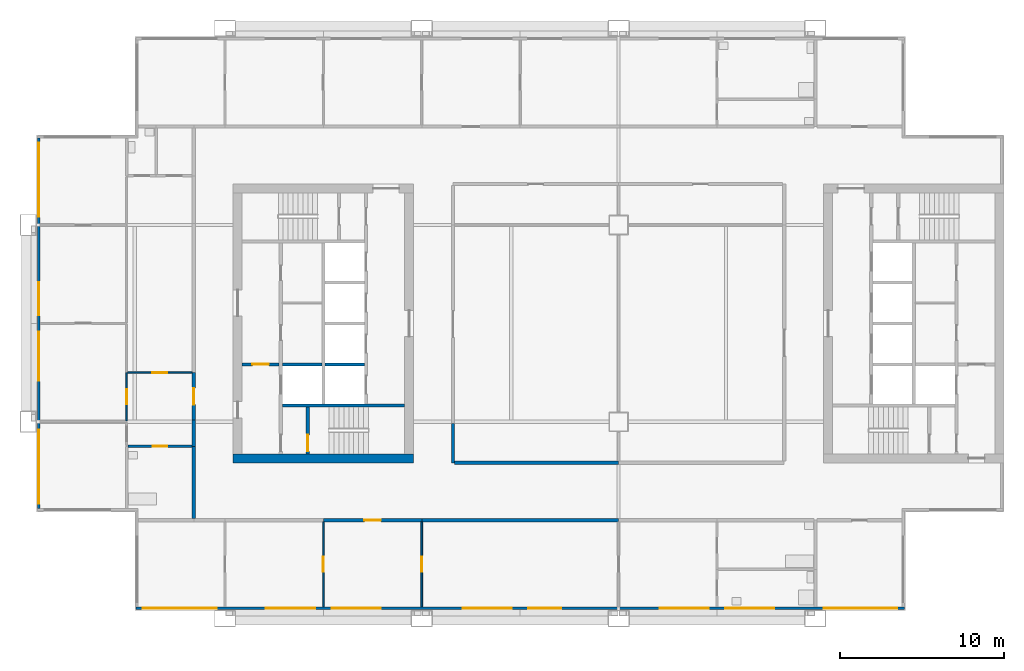
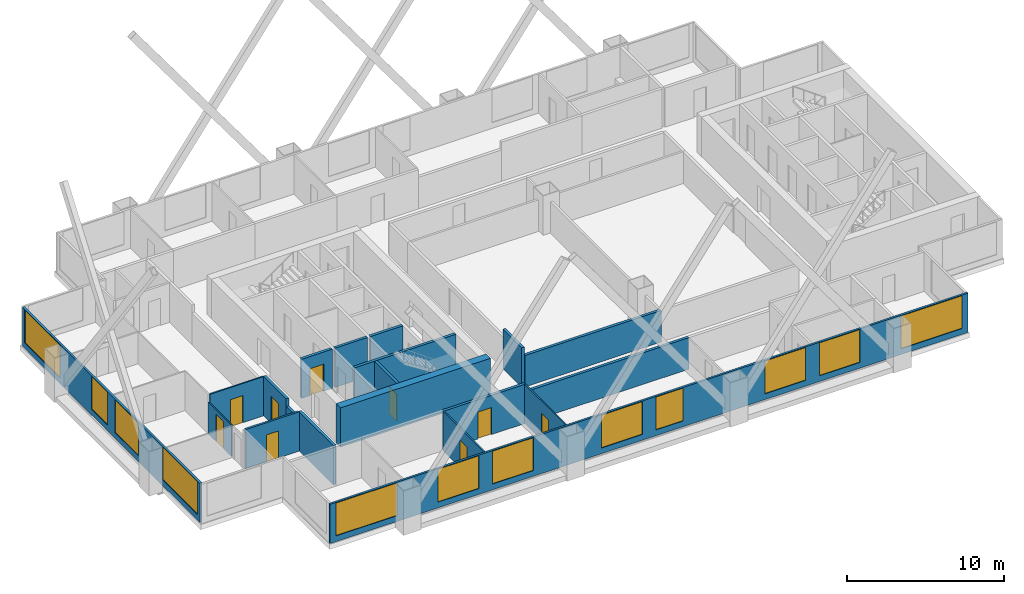
# One storey, part 2 of 8: 20 walls, 12 windows, 9 doors, 21 openings.
"""IFC4 building model written with IfcOpenShell, lengths in metres."""

from ifc_helpers import new_model, si_unit, direction, frame, frame_2d, origin, place, context, subcontext, project, spatial, rectangle, extrude, material, layer, layer_set, type_object, element, fill, save


model = new_model("IFC4")

# Units and contexts
model_context = context("Model", 3, precision=1e-05, world=origin(), true_north=direction((0.0, 1.0)))
body_context = subcontext(model_context, "Body", "Model", "MODEL_VIEW")
ifc_project = project(units=[si_unit("LENGTHUNIT", "METRE"), si_unit("AREAUNIT", "SQUARE_METRE"), si_unit("VOLUMEUNIT", "CUBIC_METRE"), si_unit("PLANEANGLEUNIT", "RADIAN"), si_unit("MASSUNIT", "GRAM", prefix="KILO")], contexts=[model_context])

# Site, building, storey
site_placement = place(None, origin())
site = spatial("IfcSite", under=ifc_project, at=site_placement, CompositionType="ELEMENT")
building_placement = place(site_placement, origin())
building = spatial("IfcBuilding", under=site, at=building_placement, Name="Kitamizu Gate Tower and Museum", CompositionType="ELEMENT")
storey_placement = place(building_placement, frame((0.0, 0.0, 175.5)))
storey = spatial("IfcBuildingStorey", under=building, at=storey_placement, Name="L46", CompositionType="ELEMENT", Elevation=175.5)

# Wall
ifc_material_1 = material(Name="Concrete Fc42", Category="concrete")
ifc_layer_1 = layer(ifc_material_1, 0.550048828125)
ifc_layer_set_1 = layer_set([ifc_layer_1], Name="Concrete Fc42")
wall_type_1 = type_object("IfcWallType", Name="Core wall 550", PredefinedType="SHEAR", material=ifc_layer_set_1)
wall_1_placement = place(storey_placement, frame((12.5, 21.77490234375, 0.0), z_axis=(0.0, 0.0, 1.0), x_axis=(1.0, 0.0, 0.0)))
element("IfcWall", 1, at=wall_1_placement, inside=storey, type_object=wall_type_1, Name="Core wall WS", PredefinedType="SHEAR", context=body_context, shape_type="SweptSolid", body=[
    extrude(rectangle(XDim=11.0, YDim=0.550048828125, at=frame_2d((5.5, 0.0))), origin(), (0.0, 0.0, 1.0), 3.050048828125),
])

# Wall, opening, door
ifc_material_2 = material(Name="Gypsum board on galvanised stud")
ifc_layer_2 = layer(ifc_material_2, 0.10009765625)
ifc_layer_set_2 = layer_set([ifc_layer_2], Name="Gypsum board on galvanised stud")
wall_type_2 = type_object("IfcWallType", Name="Partition 100 NOT RATED", PredefinedType="PARTITIONING", material=ifc_layer_set_2)
wall_2_placement = place(storey_placement, frame((18.0, 12.719970703125, 0.0), z_axis=(0.0, 0.0, 1.0), x_axis=(0.0, 1.0, 0.0)))
wall_2 = element("IfcWall", 2, at=wall_2_placement, inside=storey, type_object=wall_type_2, Name="Partition L46-004", PredefinedType="PARTITIONING", context=body_context, shape_type="SweptSolid", body=[
    extrude(rectangle(XDim=5.179931640625, YDim=0.10009765625, at=frame_2d((2.58984375, 0.0))), origin(), (0.0, 0.0, 1.0), 3.050048828125),
])
opening_1_placement = place(wall_2_placement, frame((2.139892578125, 0.0, 0.0)))
opening_1 = element("IfcOpeningElement", 3, at=opening_1_placement, cuts=wall_2, Name="Opening L46-003", PredefinedType="OPENING", context=body_context, shape_type="SweptSolid", body=[
    extrude(rectangle(XDim=0.89990234375, YDim=2.10009765625, at=frame_2d((0.449951171875, 1.050048828125))), frame((0.0, 0.06005859375, 0.0), z_axis=(0.0, -1.0, 0.0), x_axis=(1.0, 0.0, 0.0)), (0.0, 0.0, 1.0), 0.1201171875),
])
ifc_material_3 = material(Name="Timber door set", Category="wood")
door_type_1 = type_object("IfcDoorType", Name="Room door 900", OperationType="NOTDEFINED", PredefinedType="DOOR", material=ifc_material_3)
door_1_placement = place(opening_1_placement, origin())
door_1 = element("IfcDoor", 4, at=door_1_placement, inside=storey, type_object=door_type_1, Name="Door L46-003", OperationType="SINGLE_SWING_RIGHT", OverallHeight=2.10009765625, OverallWidth=0.89990234375, PredefinedType="DOOR", context=body_context, shape_type="SweptSolid", body=[
    extrude(rectangle(XDim=0.89990234375, YDim=2.10009765625, at=frame_2d((0.449951171875, 1.050048828125))), frame((0.0, 0.02490234375, 0.0), z_axis=(0.0, -1.0, 0.0), x_axis=(1.0, 0.0, 0.0)), (0.0, 0.0, 1.0), 0.050048828125),
])
fill(opening_1, door_1)

wall_3_placement = place(storey_placement, frame((24.0, 12.719970703125, 0.0), z_axis=(0.0, 0.0, 1.0), x_axis=(0.0, 1.0, 0.0)))
wall_3 = element("IfcWall", 5, at=wall_3_placement, inside=storey, type_object=wall_type_2, Name="Partition L46-006", PredefinedType="PARTITIONING", context=body_context, shape_type="SweptSolid", body=[
    extrude(rectangle(XDim=5.179931640625, YDim=0.10009765625, at=frame_2d((2.58984375, 0.0))), origin(), (0.0, 0.0, 1.0), 3.050048828125),
])
opening_2_placement = place(wall_3_placement, frame((2.139892578125, 0.0, 0.0)))
opening_2 = element("IfcOpeningElement", 6, at=opening_2_placement, cuts=wall_3, Name="Opening L46-002", PredefinedType="OPENING", context=body_context, shape_type="SweptSolid", body=[
    extrude(rectangle(XDim=0.89990234375, YDim=2.10009765625, at=frame_2d((0.449951171875, 1.050048828125))), frame((0.0, 0.06005859375, 0.0), z_axis=(0.0, -1.0, 0.0), x_axis=(1.0, 0.0, 0.0)), (0.0, 0.0, 1.0), 0.1201171875),
])
door_2_placement = place(opening_2_placement, frame((0.89990234375, 0.0, 0.0), x_axis=(-1.0, 0.0, 0.0)))
door_2 = element("IfcDoor", 7, at=door_2_placement, inside=storey, type_object=door_type_1, Name="Door L46-002", OperationType="SINGLE_SWING_RIGHT", OverallHeight=2.10009765625, OverallWidth=0.89990234375, PredefinedType="DOOR", context=body_context, shape_type="SweptSolid", body=[
    extrude(rectangle(XDim=0.89990234375, YDim=2.10009765625, at=frame_2d((0.449951171875, 1.050048828125))), frame((0.0, 0.02490234375, 0.0), z_axis=(0.0, -1.0, 0.0), x_axis=(1.0, 0.0, 0.0)), (0.0, 0.0, 1.0), 0.050048828125),
])
fill(opening_2, door_2)

wall_4_placement = place(storey_placement, frame((6.0, 24.050048828125, 0.0), z_axis=(0.0, 0.0, 1.0), x_axis=(0.0, 1.0, 0.0)))
wall_4 = element("IfcWall", 8, at=wall_4_placement, inside=storey, type_object=wall_type_2, Name="Partition L46-041", PredefinedType="PARTITIONING", context=body_context, shape_type="SweptSolid", body=[
    extrude(rectangle(XDim=2.949951171875, YDim=0.10009765625, at=frame_2d((1.47509765625, 0.0))), origin(), (0.0, 0.0, 1.0), 2.449951171875),
])
opening_3_placement = place(wall_4_placement, frame((1.02490234375, 0.0, 0.0)))
opening_3 = element("IfcOpeningElement", 9, at=opening_3_placement, cuts=wall_4, Name="Opening L46-017", PredefinedType="OPENING", context=body_context, shape_type="SweptSolid", body=[
    extrude(rectangle(XDim=0.89990234375, YDim=2.10009765625, at=frame_2d((0.449951171875, 1.050048828125))), frame((0.0, 0.06005859375, 0.0), z_axis=(0.0, -1.0, 0.0), x_axis=(1.0, 0.0, 0.0)), (0.0, 0.0, 1.0), 0.1201171875),
])
door_3_placement = place(opening_3_placement, origin())
door_3 = element("IfcDoor", 10, at=door_3_placement, inside=storey, type_object=door_type_1, Name="Door L46-017", OperationType="SINGLE_SWING_RIGHT", OverallHeight=2.10009765625, OverallWidth=0.89990234375, PredefinedType="DOOR", context=body_context, shape_type="SweptSolid", body=[
    extrude(rectangle(XDim=0.89990234375, YDim=2.10009765625, at=frame_2d((0.449951171875, 1.050048828125))), frame((0.0, 0.02490234375, 0.0), z_axis=(0.0, -1.0, 0.0), x_axis=(1.0, 0.0, 0.0)), (0.0, 0.0, 1.0), 0.050048828125),
])
fill(opening_3, door_3)

wall_5_placement = place(storey_placement, frame((10.0, 27.0, 0.0), z_axis=(0.0, 0.0, 1.0), x_axis=(-1.0, 0.0, 0.0)))
wall_5 = element("IfcWall", 11, at=wall_5_placement, inside=storey, type_object=wall_type_2, Name="Partition L46-049", PredefinedType="PARTITIONING", context=body_context, shape_type="SweptSolid", body=[
    extrude(rectangle(XDim=3.949951171875, YDim=0.10009765625, at=frame_2d((1.97509765625, 0.0))), origin(), (0.0, 0.0, 1.0), 3.050048828125),
])
opening_4_placement = place(wall_5_placement, frame((1.52490234375, 0.0, 0.0)))
opening_4 = element("IfcOpeningElement", 12, at=opening_4_placement, cuts=wall_5, Name="Opening L46-018", PredefinedType="OPENING", context=body_context, shape_type="SweptSolid", body=[
    extrude(rectangle(XDim=0.89990234375, YDim=2.10009765625, at=frame_2d((0.449951171875, 1.050048828125))), frame((0.0, 0.06005859375, 0.0), z_axis=(0.0, -1.0, 0.0), x_axis=(1.0, 0.0, 0.0)), (0.0, 0.0, 1.0), 0.1201171875),
])
door_4_placement = place(opening_4_placement, origin())
door_4 = element("IfcDoor", 13, at=door_4_placement, inside=storey, type_object=door_type_1, Name="Door L46-018", OperationType="SINGLE_SWING_RIGHT", OverallHeight=2.10009765625, OverallWidth=0.89990234375, PredefinedType="DOOR", context=body_context, shape_type="SweptSolid", body=[
    extrude(rectangle(XDim=0.89990234375, YDim=2.10009765625, at=frame_2d((0.449951171875, 1.050048828125))), frame((0.0, 0.02490234375, 0.0), z_axis=(0.0, -1.0, 0.0), x_axis=(1.0, 0.0, 0.0)), (0.0, 0.0, 1.0), 0.050048828125),
])
fill(opening_4, door_4)

ifc_material_4 = material(Name="Gypsum board on galvanised stud")
ifc_layer_3 = layer(ifc_material_4, 0.14990234375)
ifc_layer_set_3 = layer_set([ifc_layer_3], Name="Gypsum board on galvanised stud")
wall_type_3 = type_object("IfcWallType", Name="Partition 150", PredefinedType="PARTITIONING", material=ifc_layer_set_3)
wall_6_placement = place(storey_placement, frame((10.0, 22.5, 0.0), z_axis=(0.0, 0.0, 1.0), x_axis=(-1.0, 0.0, 0.0)))
wall_6 = element("IfcWall", 14, at=wall_6_placement, inside=storey, type_object=wall_type_3, Name="Partition L46-047", PredefinedType="PARTITIONING", context=body_context, shape_type="SweptSolid", body=[
    extrude(rectangle(XDim=3.925048828125, YDim=0.14990234375, at=frame_2d((1.96240234375, 0.0))), origin(), (0.0, 0.0, 1.0), 3.050048828125),
])
opening_5_placement = place(wall_6_placement, frame((1.512451171875, 0.0, 0.0)))
opening_5 = element("IfcOpeningElement", 15, at=opening_5_placement, cuts=wall_6, Name="Opening L46-021", PredefinedType="OPENING", context=body_context, shape_type="SweptSolid", body=[
    extrude(rectangle(XDim=0.89990234375, YDim=2.10009765625, at=frame_2d((0.449951171875, 1.050048828125))), frame((0.0, 0.0849609375, 0.0), z_axis=(0.0, -1.0, 0.0), x_axis=(1.0, 0.0, 0.0)), (0.0, 0.0, 1.0), 0.169921875),
])
ifc_material_5 = material(Name="Timber door set", Category="wood")
door_type_2 = type_object("IfcDoorType", Name="Bathroom door 900", OperationType="NOTDEFINED", PredefinedType="DOOR", material=ifc_material_5)
door_5_placement = place(opening_5_placement, origin())
door_5 = element("IfcDoor", 16, at=door_5_placement, inside=storey, type_object=door_type_2, Name="Bathroom door L46-021", OperationType="SINGLE_SWING_LEFT", OverallHeight=2.10009765625, OverallWidth=0.89990234375, PredefinedType="DOOR", context=body_context, shape_type="SweptSolid", body=[
    extrude(rectangle(XDim=0.89990234375, YDim=2.10009765625, at=frame_2d((0.449951171875, 1.050048828125))), frame((0.0, 0.02490234375, 0.0), z_axis=(0.0, -1.0, 0.0), x_axis=(1.0, 0.0, 0.0)), (0.0, 0.0, 1.0), 0.050048828125),
])
fill(opening_5, door_5)

ifc_material_6 = material(Name="Gypsum board on galvanised stud")
ifc_layer_4 = layer(ifc_material_6, 0.199951171875)
ifc_layer_set_4 = layer_set([ifc_layer_4], Name="Gypsum board on galvanised stud")
wall_type_4 = type_object("IfcWallType", Name="Partition 200", PredefinedType="PARTITIONING", material=ifc_layer_set_4)
wall_7_placement = place(storey_placement, frame((24.0, 18.0, 0.0), z_axis=(0.0, 0.0, 1.0), x_axis=(-1.0, 0.0, 0.0)))
wall_7 = element("IfcWall", 17, at=wall_7_placement, inside=storey, type_object=wall_type_4, Name="Partition L46-007", PredefinedType="PARTITIONING", context=body_context, shape_type="SweptSolid", body=[
    extrude(rectangle(XDim=6.0, YDim=0.199951171875, at=frame_2d((3.0, 0.0))), origin(), (0.0, 0.0, 1.0), 3.050048828125),
])
opening_6_placement = place(wall_7_placement, frame((2.5, 0.0, 0.0)))
opening_6 = element("IfcOpeningElement", 18, at=opening_6_placement, cuts=wall_7, Name="Opening L46-001", PredefinedType="OPENING", context=body_context, shape_type="SweptSolid", body=[
    extrude(rectangle(XDim=1.0, YDim=2.10009765625, at=frame_2d((0.5, 1.050048828125))), frame((0.0, 0.10986328125, 0.0), z_axis=(0.0, -1.0, 0.0), x_axis=(1.0, 0.0, 0.0)), (0.0, 0.0, 1.0), 0.219970703125),
])
ifc_material_7 = material(Name="Timber door set", Category="wood")
door_type_3 = type_object("IfcDoorType", Name="Flat entrance door 1000", OperationType="NOTDEFINED", PredefinedType="DOOR", material=ifc_material_7)
door_6_placement = place(opening_6_placement, origin())
door_6 = element("IfcDoor", 19, at=door_6_placement, inside=storey, type_object=door_type_3, Name="Flat entrance door L46-001", OperationType="SINGLE_SWING_RIGHT", OverallHeight=2.10009765625, OverallWidth=1.0, PredefinedType="DOOR", context=body_context, shape_type="SweptSolid", body=[
    extrude(rectangle(XDim=1.0, YDim=2.10009765625, at=frame_2d((0.5, 1.050048828125))), frame((0.0, 0.02490234375, 0.0), z_axis=(0.0, -1.0, 0.0), x_axis=(1.0, 0.0, 0.0)), (0.0, 0.0, 1.0), 0.050048828125),
])
fill(opening_6, door_6)

# Walls
wall_8_placement = place(storey_placement, frame((36.0, 18.0, 0.0), z_axis=(0.0, 0.0, 1.0), x_axis=(-1.0, 0.0, 0.0)))
element("IfcWall", 20, at=wall_8_placement, inside=storey, type_object=wall_type_4, Name="Partition L46-009", PredefinedType="PARTITIONING", context=body_context, shape_type="SweptSolid", body=[
    extrude(rectangle(XDim=12.0, YDim=0.199951171875, at=frame_2d((6.0, 0.0))), origin(), (0.0, 0.0, 1.0), 2.449951171875),
])
wall_9_placement = place(storey_placement, frame((10.10009765625, 18.10009765625, 0.0), z_axis=(0.0, 0.0, 1.0), x_axis=(0.0, 1.0, 0.0)))
element("IfcWall", 21, at=wall_9_placement, inside=storey, type_object=wall_type_4, Name="Partition L46-048", PredefinedType="PARTITIONING", context=body_context, shape_type="SweptSolid", body=[
    extrude(rectangle(XDim=4.39990234375, YDim=0.199951171875, at=frame_2d((2.199951171875, 0.0))), origin(), (0.0, 0.0, 1.0), 3.050048828125),
])
wall_10_placement = place(storey_placement, frame((10.10009765625, 22.5, 0.0), z_axis=(0.0, 0.0, 1.0), x_axis=(0.0, 1.0, 0.0)))
element("IfcWall", 22, at=wall_10_placement, inside=storey, type_object=wall_type_4, Name="Partition L46-050", PredefinedType="PARTITIONING", context=body_context, shape_type="SweptSolid", body=[
    extrude(rectangle(XDim=1.60009765625, YDim=0.199951171875, at=frame_2d((0.800048828125, 0.0))), origin(), (0.0, 0.0, 1.0), 2.449951171875),
])

# Wall, opening, door
wall_11_placement = place(storey_placement, frame((10.10009765625, 24.10009765625, 0.0), z_axis=(0.0, 0.0, 1.0), x_axis=(0.0, 1.0, 0.0)))
wall_11 = element("IfcWall", 23, at=wall_11_placement, inside=storey, type_object=wall_type_4, Name="Partition L46-051", PredefinedType="PARTITIONING", context=body_context, shape_type="SweptSolid", body=[
    extrude(rectangle(XDim=2.89990234375, YDim=0.199951171875, at=frame_2d((1.449951171875, 0.0))), origin(), (0.0, 0.0, 1.0), 3.050048828125),
])
opening_7_placement = place(wall_11_placement, frame((0.949951171875, 0.0, 0.0)))
opening_7 = element("IfcOpeningElement", 24, at=opening_7_placement, cuts=wall_11, Name="Opening L46-015", PredefinedType="OPENING", context=body_context, shape_type="SweptSolid", body=[
    extrude(rectangle(XDim=1.0, YDim=2.10009765625, at=frame_2d((0.5, 1.050048828125))), frame((0.0, 0.10986328125, 0.0), z_axis=(0.0, -1.0, 0.0), x_axis=(1.0, 0.0, 0.0)), (0.0, 0.0, 1.0), 0.219970703125),
])
door_7_placement = place(opening_7_placement, origin())
door_7 = element("IfcDoor", 25, at=door_7_placement, inside=storey, type_object=door_type_3, Name="Flat entrance door L46-015", OperationType="SINGLE_SWING_LEFT", OverallHeight=2.10009765625, OverallWidth=1.0, PredefinedType="DOOR", context=body_context, shape_type="SweptSolid", body=[
    extrude(rectangle(XDim=1.0, YDim=2.10009765625, at=frame_2d((0.5, 1.050048828125))), frame((0.0, 0.02490234375, 0.0), z_axis=(0.0, -1.0, 0.0), x_axis=(1.0, 0.0, 0.0)), (0.0, 0.0, 1.0), 0.050048828125),
])
fill(opening_7, door_7)

# Walls
wall_12_placement = place(storey_placement, frame((25.89990234375, 23.89990234375, 0.0), z_axis=(0.0, 0.0, 1.0), x_axis=(0.0, -1.0, 0.0)))
element("IfcWall", 26, at=wall_12_placement, inside=storey, type_object=wall_type_4, Name="Partition L46-059", PredefinedType="PARTITIONING", context=body_context, shape_type="SweptSolid", body=[
    extrude(rectangle(XDim=2.39990234375, YDim=0.199951171875, at=frame_2d((1.199951171875, 0.0))), origin(), (0.0, 0.0, 1.0), 3.050048828125),
])
wall_13_placement = place(storey_placement, frame((26.0, 21.5, 0.0), z_axis=(0.0, 0.0, 1.0), x_axis=(1.0, 0.0, 0.0)))
element("IfcWall", 27, at=wall_13_placement, inside=storey, type_object=wall_type_4, Name="Partition L46-060", PredefinedType="PARTITIONING", context=body_context, shape_type="SweptSolid", body=[
    extrude(rectangle(XDim=10.0, YDim=0.199951171875, at=frame_2d((5.0, 0.0))), origin(), (0.0, 0.0, 1.0), 2.449951171875),
])
ifc_material_8 = material(Name="Concrete Fc42", Category="concrete")
ifc_layer_5 = layer(ifc_material_8, 0.199951171875)
ifc_layer_set_5 = layer_set([ifc_layer_5], Name="Concrete Fc42")
wall_type_5 = type_object("IfcWallType", Name="Shaft wall 200", PredefinedType="SOLIDWALL", material=ifc_layer_set_5)
wall_14_placement = place(storey_placement, frame((15.5, 25.0, 0.0), z_axis=(0.0, 0.0, 1.0), x_axis=(1.0, 0.0, 0.0)))
element("IfcWall", 28, at=wall_14_placement, inside=storey, type_object=wall_type_5, Name="Shaft wall WSB", PredefinedType="SOLIDWALL", context=body_context, shape_type="SweptSolid", body=[
    extrude(rectangle(XDim=7.449951171875, YDim=0.199951171875, at=frame_2d((3.72509765625, 0.0))), origin(), (0.0, 0.0, 1.0), 3.050048828125),
])

# Wall, opening, door
wall_15_placement = place(storey_placement, frame((13.050048828125, 27.5, 0.0), z_axis=(0.0, 0.0, 1.0), x_axis=(1.0, 0.0, 0.0)))
wall_15 = element("IfcWall", 29, at=wall_15_placement, inside=storey, type_object=wall_type_5, Name="Shaft wall WFFN", PredefinedType="SOLIDWALL", context=body_context, shape_type="SweptSolid", body=[
    extrude(rectangle(XDim=2.25, YDim=0.199951171875, at=frame_2d((1.125, 0.0))), origin(), (0.0, 0.0, 1.0), 3.050048828125),
])
opening_8_placement = place(wall_15_placement, frame((0.625, 0.0, 0.0)))
opening_8 = element("IfcOpeningElement", 30, at=opening_8_placement, cuts=wall_15, Name="Opening L46-034", PredefinedType="OPENING", context=body_context, shape_type="SweptSolid", body=[
    extrude(rectangle(XDim=1.0, YDim=2.10009765625, at=frame_2d((0.5, 1.050048828125))), frame((0.0, 0.10986328125, 0.0), z_axis=(0.0, -1.0, 0.0), x_axis=(1.0, 0.0, 0.0)), (0.0, 0.0, 1.0), 0.219970703125),
])
ifc_material_9 = material(Name="Hollow metal door set")
door_type_4 = type_object("IfcDoorType", Name="Fire door 1000", OperationType="NOTDEFINED", PredefinedType="DOOR", material=ifc_material_9)
door_8_placement = place(opening_8_placement, frame((1.0, 0.0, 0.0), x_axis=(-1.0, 0.0, 0.0)))
door_8 = element("IfcDoor", 31, at=door_8_placement, inside=storey, type_object=door_type_4, Name="Fire-fighting lobby door L46-034", OperationType="SINGLE_SWING_LEFT", OverallHeight=2.10009765625, OverallWidth=1.0, PredefinedType="DOOR", context=body_context, shape_type="SweptSolid", body=[
    extrude(rectangle(XDim=1.0, YDim=2.10009765625, at=frame_2d((0.5, 1.050048828125))), frame((0.0, 0.02490234375, 0.0), z_axis=(0.0, -1.0, 0.0), x_axis=(1.0, 0.0, 0.0)), (0.0, 0.0, 1.0), 0.050048828125),
])
fill(opening_8, door_8)

wall_16_placement = place(storey_placement, frame((17.050048828125, 22.050048828125, 0.0), z_axis=(0.0, 0.0, 1.0), x_axis=(0.0, 1.0, 0.0)))
wall_16 = element("IfcWall", 32, at=wall_16_placement, inside=storey, type_object=wall_type_5, Name="Shaft wall WSZ", PredefinedType="SOLIDWALL", context=body_context, shape_type="SweptSolid", body=[
    extrude(rectangle(XDim=2.849853515625, YDim=0.199951171875, at=frame_2d((1.4248046875, 0.0))), origin(), (0.0, 0.0, 1.0), 3.050048828125),
])
opening_9_placement = place(wall_16_placement, frame((0.14990234375, 0.0, 0.0)))
opening_9 = element("IfcOpeningElement", 33, at=opening_9_placement, cuts=wall_16, Name="Opening L46-030", PredefinedType="OPENING", context=body_context, shape_type="SweptSolid", body=[
    extrude(rectangle(XDim=1.0, YDim=2.10009765625, at=frame_2d((0.5, 1.050048828125))), frame((0.0, 0.10986328125, 0.0), z_axis=(0.0, -1.0, 0.0), x_axis=(1.0, 0.0, 0.0)), (0.0, 0.0, 1.0), 0.219970703125),
])
door_9_placement = place(opening_9_placement, frame((1.0, 0.0, 0.0), x_axis=(-1.0, 0.0, 0.0)))
door_9 = element("IfcDoor", 34, at=door_9_placement, inside=storey, type_object=door_type_4, Name="Stair door L46-030", OperationType="SINGLE_SWING_LEFT", OverallHeight=2.10009765625, OverallWidth=1.0, PredefinedType="DOOR", context=body_context, shape_type="SweptSolid", body=[
    extrude(rectangle(XDim=1.0, YDim=2.10009765625, at=frame_2d((0.5, 1.050048828125))), frame((0.0, 0.02490234375, 0.0), z_axis=(0.0, -1.0, 0.0), x_axis=(1.0, 0.0, 0.0)), (0.0, 0.0, 1.0), 0.050048828125),
])
fill(opening_9, door_9)

# Walls
for number, where, z_axis, x_axis, name in (
    (35, (15.5, 27.5, 0.0), (0.0, 0.0, 1.0), (1.0, 0.0, 0.0), "Shaft wall WDVW0"),
    (36, (18.10009765625, 27.5, 0.0), (0.0, 0.0, 1.0), (1.0, 0.0, 0.0), "Shaft wall WDVE0"),
):
    element("IfcWall", number, at=place(storey_placement, frame(where, z_axis=z_axis, x_axis=x_axis)), inside=storey, type_object=wall_type_5, Name=name, PredefinedType="SOLIDWALL", context=body_context, shape_type="SweptSolid", body=[
        extrude(rectangle(XDim=2.39990234375, YDim=0.199951171875, at=frame_2d((1.199951171875, 0.0))), origin(), (0.0, 0.0, 1.0), 3.050048828125),
    ])

# Wall, openings, windows
ifc_material_10 = material(Name="Bronze anodised aluminium frame with insulated spandrel and tinted glass", Category="aluminium")
ifc_layer_6 = layer(ifc_material_10, 0.14990234375)
ifc_layer_set_6 = layer_set([ifc_layer_6], Name="Bronze anodised aluminium frame with insulated spandrel and tinted glass")
wall_type_6 = type_object("IfcWallType", Name="WINDOW WALL 150 BRONZE FRAME EI 30", PredefinedType="ELEMENTEDWALL", material=ifc_layer_set_6)
wall_17_placement = place(storey_placement, frame((6.56005859375, 12.635009765625, 0.0), z_axis=(0.0, 0.0, 1.0), x_axis=(1.0, 0.0, 0.0)))
wall_17 = element("IfcWall", 37, at=wall_17_placement, inside=storey, type_object=wall_type_6, Name="Window wall south L46", PredefinedType="ELEMENTEDWALL", context=body_context, shape_type="SweptSolid", body=[
    extrude(rectangle(XDim=46.8798828125, YDim=0.14990234375, at=frame_2d((23.43994140625, 0.0))), origin(), (0.0, 0.0, 1.0), 3.050048828125),
])
opening_10_placement = place(wall_17_placement, frame((0.43994140625, 0.0, 0.449951171875)))
opening_10 = element("IfcOpeningElement", 38, at=opening_10_placement, cuts=wall_17, Name="Opening W15", PredefinedType="OPENING", context=body_context, shape_type="SweptSolid", body=[
    extrude(rectangle(XDim=4.5, YDim=2.550048828125, at=frame_2d((2.25, 1.27490234375))), frame((0.0, 0.0849609375, 0.0), z_axis=(0.0, -1.0, 0.0), x_axis=(1.0, 0.0, 0.0)), (0.0, 0.0, 1.0), 0.169921875),
])
opening_11_placement = place(wall_17_placement, frame((7.93994140625, 0.0, 0.449951171875)))
opening_11 = element("IfcOpeningElement", 39, at=opening_11_placement, cuts=wall_17, Name="Opening W33", PredefinedType="OPENING", context=body_context, shape_type="SweptSolid", body=[
    extrude(rectangle(XDim=3.0, YDim=2.550048828125, at=frame_2d((1.5, 1.27490234375))), frame((0.0, 0.0849609375, 0.0), z_axis=(0.0, -1.0, 0.0), x_axis=(1.0, 0.0, 0.0)), (0.0, 0.0, 1.0), 0.169921875),
])
opening_12_placement = place(wall_17_placement, frame((11.93994140625, 0.0, 0.449951171875)))
opening_12 = element("IfcOpeningElement", 40, at=opening_12_placement, cuts=wall_17, Name="Opening W33", PredefinedType="OPENING", context=body_context, shape_type="SweptSolid", body=[
    extrude(rectangle(XDim=3.0, YDim=2.550048828125, at=frame_2d((1.5, 1.27490234375))), frame((0.0, 0.0849609375, 0.0), z_axis=(0.0, -1.0, 0.0), x_axis=(1.0, 0.0, 0.0)), (0.0, 0.0, 1.0), 0.169921875),
])
opening_13_placement = place(wall_17_placement, frame((19.93994140625, 0.0, 0.449951171875)))
opening_13 = element("IfcOpeningElement", 41, at=opening_13_placement, cuts=wall_17, Name="Opening W33", PredefinedType="OPENING", context=body_context, shape_type="SweptSolid", body=[
    extrude(rectangle(XDim=3.0, YDim=2.550048828125, at=frame_2d((1.5, 1.27490234375))), frame((0.0, 0.0849609375, 0.0), z_axis=(0.0, -1.0, 0.0), x_axis=(1.0, 0.0, 0.0)), (0.0, 0.0, 1.0), 0.169921875),
])
opening_14_placement = place(wall_17_placement, frame((23.93994140625, 0.0, 0.449951171875)))
opening_14 = element("IfcOpeningElement", 42, at=opening_14_placement, cuts=wall_17, Name="Opening W2", PredefinedType="OPENING", context=body_context, shape_type="SweptSolid", body=[
    extrude(rectangle(XDim=2.0, YDim=2.550048828125, at=frame_2d((1.0, 1.27490234375))), frame((0.0, 0.0849609375, 0.0), z_axis=(0.0, -1.0, 0.0), x_axis=(1.0, 0.0, 0.0)), (0.0, 0.0, 1.0), 0.169921875),
])
opening_15_placement = place(wall_17_placement, frame((31.93994140625, 0.0, 0.449951171875)))
opening_15 = element("IfcOpeningElement", 43, at=opening_15_placement, cuts=wall_17, Name="Opening W33", PredefinedType="OPENING", context=body_context, shape_type="SweptSolid", body=[
    extrude(rectangle(XDim=3.0, YDim=2.550048828125, at=frame_2d((1.5, 1.27490234375))), frame((0.0, 0.0849609375, 0.0), z_axis=(0.0, -1.0, 0.0), x_axis=(1.0, 0.0, 0.0)), (0.0, 0.0, 1.0), 0.169921875),
])
opening_16_placement = place(wall_17_placement, frame((35.93994140625, 0.0, 0.449951171875)))
opening_16 = element("IfcOpeningElement", 44, at=opening_16_placement, cuts=wall_17, Name="Opening W33", PredefinedType="OPENING", context=body_context, shape_type="SweptSolid", body=[
    extrude(rectangle(XDim=3.0, YDim=2.550048828125, at=frame_2d((1.5, 1.27490234375))), frame((0.0, 0.0849609375, 0.0), z_axis=(0.0, -1.0, 0.0), x_axis=(1.0, 0.0, 0.0)), (0.0, 0.0, 1.0), 0.169921875),
])
opening_17_placement = place(wall_17_placement, frame((41.93994140625, 0.0, 0.449951171875)))
opening_17 = element("IfcOpeningElement", 45, at=opening_17_placement, cuts=wall_17, Name="Opening W15", PredefinedType="OPENING", context=body_context, shape_type="SweptSolid", body=[
    extrude(rectangle(XDim=4.5, YDim=2.550048828125, at=frame_2d((2.25, 1.27490234375))), frame((0.0, 0.0849609375, 0.0), z_axis=(0.0, -1.0, 0.0), x_axis=(1.0, 0.0, 0.0)), (0.0, 0.0, 1.0), 0.169921875),
])
ifc_material_11 = material(Name="Bronze anodised aluminium frame, tinted triple glazing", Category="aluminium")
window_type_1 = type_object("IfcWindowType", Name="WINDOW 2000 x 2550 SILL 450", PartitioningType="SINGLE_PANEL", PredefinedType="WINDOW", material=ifc_material_11)
window_1_placement = place(opening_14_placement, origin())
window_1 = element("IfcWindow", 46, at=window_1_placement, inside=storey, type_object=window_type_1, Name="Window W2 L46", OverallHeight=2.550048828125, OverallWidth=2.0, PartitioningType="SINGLE_PANEL", PredefinedType="WINDOW", context=body_context, shape_type="SweptSolid", body=[
    extrude(rectangle(XDim=2.0, YDim=2.550048828125, at=frame_2d((1.0, 1.27490234375))), frame((0.0, 0.030029296875, 0.0), z_axis=(0.0, -1.0, 0.0), x_axis=(1.0, 0.0, 0.0)), (0.0, 0.0, 1.0), 0.06005859375),
])
fill(opening_14, window_1)
ifc_material_12 = material(Name="Bronze anodised aluminium frame, tinted triple glazing", Category="aluminium")
window_type_2 = type_object("IfcWindowType", Name="WINDOW 3000 x 2550 SILL 450", PartitioningType="SINGLE_PANEL", PredefinedType="WINDOW", material=ifc_material_12)
window_2_placement = place(opening_11_placement, origin())
window_2 = element("IfcWindow", 47, at=window_2_placement, inside=storey, type_object=window_type_2, Name="Window W33 L46", OverallHeight=2.550048828125, OverallWidth=3.0, PartitioningType="SINGLE_PANEL", PredefinedType="WINDOW", context=body_context, shape_type="SweptSolid", body=[
    extrude(rectangle(XDim=3.0, YDim=2.550048828125, at=frame_2d((1.5, 1.27490234375))), frame((0.0, 0.030029296875, 0.0), z_axis=(0.0, -1.0, 0.0), x_axis=(1.0, 0.0, 0.0)), (0.0, 0.0, 1.0), 0.06005859375),
])
fill(opening_11, window_2)
window_3_placement = place(opening_12_placement, origin())
window_3 = element("IfcWindow", 48, at=window_3_placement, inside=storey, type_object=window_type_2, Name="Window W33 L46", OverallHeight=2.550048828125, OverallWidth=3.0, PartitioningType="SINGLE_PANEL", PredefinedType="WINDOW", context=body_context, shape_type="SweptSolid", body=[
    extrude(rectangle(XDim=3.0, YDim=2.550048828125, at=frame_2d((1.5, 1.27490234375))), frame((0.0, 0.030029296875, 0.0), z_axis=(0.0, -1.0, 0.0), x_axis=(1.0, 0.0, 0.0)), (0.0, 0.0, 1.0), 0.06005859375),
])
fill(opening_12, window_3)
window_4_placement = place(opening_13_placement, origin())
window_4 = element("IfcWindow", 49, at=window_4_placement, inside=storey, type_object=window_type_2, Name="Window W33 L46", OverallHeight=2.550048828125, OverallWidth=3.0, PartitioningType="SINGLE_PANEL", PredefinedType="WINDOW", context=body_context, shape_type="SweptSolid", body=[
    extrude(rectangle(XDim=3.0, YDim=2.550048828125, at=frame_2d((1.5, 1.27490234375))), frame((0.0, 0.030029296875, 0.0), z_axis=(0.0, -1.0, 0.0), x_axis=(1.0, 0.0, 0.0)), (0.0, 0.0, 1.0), 0.06005859375),
])
fill(opening_13, window_4)
window_5_placement = place(opening_15_placement, origin())
window_5 = element("IfcWindow", 50, at=window_5_placement, inside=storey, type_object=window_type_2, Name="Window W33 L46", OverallHeight=2.550048828125, OverallWidth=3.0, PartitioningType="SINGLE_PANEL", PredefinedType="WINDOW", context=body_context, shape_type="SweptSolid", body=[
    extrude(rectangle(XDim=3.0, YDim=2.550048828125, at=frame_2d((1.5, 1.27490234375))), frame((0.0, 0.030029296875, 0.0), z_axis=(0.0, -1.0, 0.0), x_axis=(1.0, 0.0, 0.0)), (0.0, 0.0, 1.0), 0.06005859375),
])
fill(opening_15, window_5)
window_6_placement = place(opening_16_placement, origin())
window_6 = element("IfcWindow", 51, at=window_6_placement, inside=storey, type_object=window_type_2, Name="Window W33 L46", OverallHeight=2.550048828125, OverallWidth=3.0, PartitioningType="SINGLE_PANEL", PredefinedType="WINDOW", context=body_context, shape_type="SweptSolid", body=[
    extrude(rectangle(XDim=3.0, YDim=2.550048828125, at=frame_2d((1.5, 1.27490234375))), frame((0.0, 0.030029296875, 0.0), z_axis=(0.0, -1.0, 0.0), x_axis=(1.0, 0.0, 0.0)), (0.0, 0.0, 1.0), 0.06005859375),
])
fill(opening_16, window_6)
ifc_material_13 = material(Name="Bronze anodised aluminium frame, tinted triple glazing", Category="aluminium")
window_type_3 = type_object("IfcWindowType", Name="WINDOW 4500 x 2550 SILL 450", PartitioningType="SINGLE_PANEL", PredefinedType="WINDOW", material=ifc_material_13)
window_7_placement = place(opening_10_placement, origin())
window_7 = element("IfcWindow", 52, at=window_7_placement, inside=storey, type_object=window_type_3, Name="Window W15 L46", OverallHeight=2.550048828125, OverallWidth=4.5, PartitioningType="SINGLE_PANEL", PredefinedType="WINDOW", context=body_context, shape_type="SweptSolid", body=[
    extrude(rectangle(XDim=4.5, YDim=2.550048828125, at=frame_2d((2.25, 1.27490234375))), frame((0.0, 0.030029296875, 0.0), z_axis=(0.0, -1.0, 0.0), x_axis=(1.0, 0.0, 0.0)), (0.0, 0.0, 1.0), 0.06005859375),
])
fill(opening_10, window_7)
window_8_placement = place(opening_17_placement, origin())
window_8 = element("IfcWindow", 53, at=window_8_placement, inside=storey, type_object=window_type_3, Name="Window W15 L46", OverallHeight=2.550048828125, OverallWidth=4.5, PartitioningType="SINGLE_PANEL", PredefinedType="WINDOW", context=body_context, shape_type="SweptSolid", body=[
    extrude(rectangle(XDim=4.5, YDim=2.550048828125, at=frame_2d((2.25, 1.27490234375))), frame((0.0, 0.030029296875, 0.0), z_axis=(0.0, -1.0, 0.0), x_axis=(1.0, 0.0, 0.0)), (0.0, 0.0, 1.0), 0.06005859375),
])
fill(opening_17, window_8)

wall_18_placement = place(storey_placement, frame((0.635009765625, 18.7099609375, 0.0), z_axis=(0.0, 0.0, 1.0), x_axis=(0.0, 1.0, 0.0)))
wall_18 = element("IfcWall", 54, at=wall_18_placement, inside=storey, type_object=wall_type_6, Name="Window wall west L46", PredefinedType="ELEMENTEDWALL", context=body_context, shape_type="SweptSolid", body=[
    extrude(rectangle(XDim=22.580078125, YDim=0.14990234375, at=frame_2d((11.2900390625, 0.0))), origin(), (0.0, 0.0, 1.0), 3.050048828125),
])
opening_18_placement = place(wall_18_placement, frame((0.2900390625, 0.0, 0.449951171875)))
opening_18 = element("IfcOpeningElement", 55, at=opening_18_placement, cuts=wall_18, Name="Opening W15", PredefinedType="OPENING", context=body_context, shape_type="SweptSolid", body=[
    extrude(rectangle(XDim=4.5, YDim=2.550048828125, at=frame_2d((2.25, 1.27490234375))), frame((0.0, 0.0849609375, 0.0), z_axis=(0.0, -1.0, 0.0), x_axis=(1.0, 0.0, 0.0)), (0.0, 0.0, 1.0), 0.169921875),
])
opening_19_placement = place(wall_18_placement, frame((7.7900390625, 0.0, 0.449951171875)))
opening_19 = element("IfcOpeningElement", 56, at=opening_19_placement, cuts=wall_18, Name="Opening W33", PredefinedType="OPENING", context=body_context, shape_type="SweptSolid", body=[
    extrude(rectangle(XDim=3.0, YDim=2.550048828125, at=frame_2d((1.5, 1.27490234375))), frame((0.0, 0.0849609375, 0.0), z_axis=(0.0, -1.0, 0.0), x_axis=(1.0, 0.0, 0.0)), (0.0, 0.0, 1.0), 0.169921875),
])
opening_20_placement = place(wall_18_placement, frame((11.7900390625, 0.0, 0.449951171875)))
opening_20 = element("IfcOpeningElement", 57, at=opening_20_placement, cuts=wall_18, Name="Opening W2", PredefinedType="OPENING", context=body_context, shape_type="SweptSolid", body=[
    extrude(rectangle(XDim=2.0, YDim=2.550048828125, at=frame_2d((1.0, 1.27490234375))), frame((0.0, 0.0849609375, 0.0), z_axis=(0.0, -1.0, 0.0), x_axis=(1.0, 0.0, 0.0)), (0.0, 0.0, 1.0), 0.169921875),
])
opening_21_placement = place(wall_18_placement, frame((17.7900390625, 0.0, 0.449951171875)))
opening_21 = element("IfcOpeningElement", 58, at=opening_21_placement, cuts=wall_18, Name="Opening W15", PredefinedType="OPENING", context=body_context, shape_type="SweptSolid", body=[
    extrude(rectangle(XDim=4.5, YDim=2.550048828125, at=frame_2d((2.25, 1.27490234375))), frame((0.0, 0.0849609375, 0.0), z_axis=(0.0, -1.0, 0.0), x_axis=(1.0, 0.0, 0.0)), (0.0, 0.0, 1.0), 0.169921875),
])
window_9_placement = place(opening_20_placement, origin())
window_9 = element("IfcWindow", 59, at=window_9_placement, inside=storey, type_object=window_type_1, Name="Window W2 L46", OverallHeight=2.550048828125, OverallWidth=2.0, PartitioningType="SINGLE_PANEL", PredefinedType="WINDOW", context=body_context, shape_type="SweptSolid", body=[
    extrude(rectangle(XDim=2.0, YDim=2.550048828125, at=frame_2d((1.0, 1.27490234375))), frame((0.0, 0.030029296875, 0.0), z_axis=(0.0, -1.0, 0.0), x_axis=(1.0, 0.0, 0.0)), (0.0, 0.0, 1.0), 0.06005859375),
])
fill(opening_20, window_9)
window_10_placement = place(opening_19_placement, origin())
window_10 = element("IfcWindow", 60, at=window_10_placement, inside=storey, type_object=window_type_2, Name="Window W33 L46", OverallHeight=2.550048828125, OverallWidth=3.0, PartitioningType="SINGLE_PANEL", PredefinedType="WINDOW", context=body_context, shape_type="SweptSolid", body=[
    extrude(rectangle(XDim=3.0, YDim=2.550048828125, at=frame_2d((1.5, 1.27490234375))), frame((0.0, 0.030029296875, 0.0), z_axis=(0.0, -1.0, 0.0), x_axis=(1.0, 0.0, 0.0)), (0.0, 0.0, 1.0), 0.06005859375),
])
fill(opening_19, window_10)
window_11_placement = place(opening_18_placement, origin())
window_11 = element("IfcWindow", 61, at=window_11_placement, inside=storey, type_object=window_type_3, Name="Window W15 L46", OverallHeight=2.550048828125, OverallWidth=4.5, PartitioningType="SINGLE_PANEL", PredefinedType="WINDOW", context=body_context, shape_type="SweptSolid", body=[
    extrude(rectangle(XDim=4.5, YDim=2.550048828125, at=frame_2d((2.25, 1.27490234375))), frame((0.0, 0.030029296875, 0.0), z_axis=(0.0, -1.0, 0.0), x_axis=(1.0, 0.0, 0.0)), (0.0, 0.0, 1.0), 0.06005859375),
])
fill(opening_18, window_11)
window_12_placement = place(opening_21_placement, origin())
window_12 = element("IfcWindow", 62, at=window_12_placement, inside=storey, type_object=window_type_3, Name="Window W15 L46", OverallHeight=2.550048828125, OverallWidth=4.5, PartitioningType="SINGLE_PANEL", PredefinedType="WINDOW", context=body_context, shape_type="SweptSolid", body=[
    extrude(rectangle(XDim=4.5, YDim=2.550048828125, at=frame_2d((2.25, 1.27490234375))), frame((0.0, 0.030029296875, 0.0), z_axis=(0.0, -1.0, 0.0), x_axis=(1.0, 0.0, 0.0)), (0.0, 0.0, 1.0), 0.06005859375),
])
fill(opening_21, window_12)

save(model, "model.ifc")
